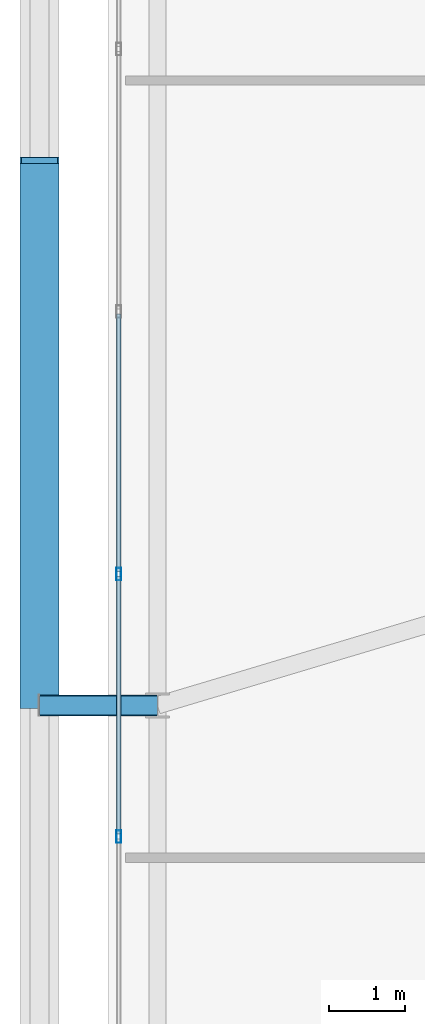
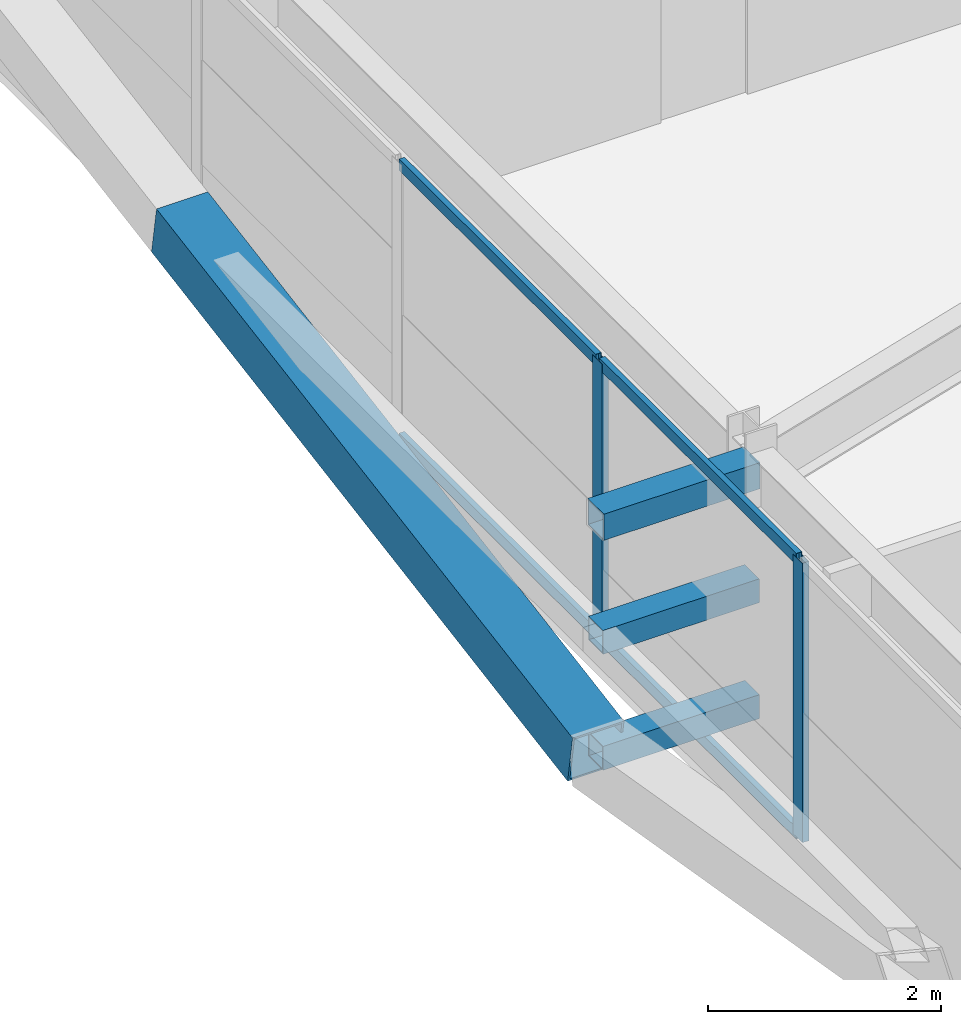
# One storey, part 14 of 58: 10 members, 1 element without a shape of its own.
"""IFC4 building model written with IfcOpenShell, lengths in metres."""

from ifc_helpers import new_model, si_unit, direction, frame, origin, origin_2d, place, context, subcontext, project, spatial, hollow_rectangle, extrude, source, transform, mapped, material, layer, layer_set, material_profile, profile_set, type_object, element, aggregate, save


model = new_model("IFC4")

# Units and contexts
model_context = context("Model", 3, precision=1e-05, world=origin(), true_north=direction((0.0, 1.0)))
body_context = subcontext(model_context, "Body", "Model", "MODEL_VIEW")
ifc_project = project(units=[si_unit("LENGTHUNIT", "METRE"), si_unit("AREAUNIT", "SQUARE_METRE"), si_unit("VOLUMEUNIT", "CUBIC_METRE"), si_unit("PLANEANGLEUNIT", "RADIAN"), si_unit("MASSUNIT", "GRAM", prefix="KILO")], contexts=[model_context])

# Site, building, storey
site_placement = place(None, origin())
site = spatial("IfcSite", under=ifc_project, at=site_placement, CompositionType="ELEMENT")
building_placement = place(site_placement, origin())
building = spatial("IfcBuilding", under=site, at=building_placement, Name="Taldren Reach Tower", CompositionType="ELEMENT")
storey_placement = place(building_placement, frame((0.0, 0.0, 51.449951171875)))
storey = spatial("IfcBuildingStorey", under=building, at=storey_placement, Name="L15", CompositionType="ELEMENT", Elevation=51.449951171875)

# Members
ifc_material_1 = material(Name="Steel Gr 450 (C450L0)", Category="steel")
ifc_material_profile_1 = material_profile(ifc_material_1, hollow_rectangle(XDim=0.27490234375, YDim=0.27490234375, WallThickness=0.00927734375, at=origin_2d()), Name="275x275x9.3SHS")
ifc_profile_set_1 = profile_set([ifc_material_profile_1], Name="Steel Gr 450 (C450L0)")
member_type_1 = type_object("IfcMemberType", Name="MB-TIE273", PredefinedType="STRUT", material=ifc_profile_set_1)
shared_shape_1 = source(origin(), body_context, "Body", "SweptSolid", [
    extrude(hollow_rectangle(XDim=0.27490234375, YDim=0.27490234375, WallThickness=0.00927734375, at=origin_2d()), origin(), (0.0, 0.0, 1.0), 1.5498046875),
])
member_1_placement = place(storey_placement, frame((5.64990234375, 20.0, 2.650146484375), z_axis=(-1.0, 0.0, 0.0), x_axis=(0.0, -1.0, 0.0)))
element("IfcMember", 1, at=member_1_placement, inside=storey, type_object=member_type_1, Name="Exoskeleton diaphragm tie strut B1-W2 L15", PredefinedType="STRUT", context=body_context, shape_type="MappedRepresentation", body=[
    mapped(shared_shape_1, transform((0.0, 0.0, 0.0), scale=1.0)),
])
ifc_material_2 = material(Name="Steel Gr 350 (C350L0)", Category="steel")
ifc_material_profile_2 = material_profile(ifc_material_2, hollow_rectangle(XDim=0.25, YDim=0.25, WallThickness=0.010009765625, at=origin_2d()), Name="250x250x10.0SHS")
ifc_profile_set_2 = profile_set([ifc_material_profile_2], Name="Steel Gr 350 (C350L0)")
member_type_2 = type_object("IfcMemberType", Name="MB-POST250", PredefinedType="POST", material=ifc_profile_set_2)
shared_shape_2 = source(origin(), body_context, "Body", "SweptSolid", [
    extrude(hollow_rectangle(XDim=0.25, YDim=0.25, WallThickness=0.010009765625, at=origin_2d()), origin(), (0.0, 0.0, 1.0), 1.5498046875),
])
for number, where, z_axis, x_axis, name in (
    (2, (5.64990234375, 20.0, 0.219970703125), (-1.0, 0.0, 0.0), (0.0, -1.0, 0.0), "Exoskeleton base diaphragm tie strut B1-W2 L15"),
    (3, (5.64990234375, 20.0, 1.43505859375), (-1.0, 0.0, 0.0), (0.0, -1.0, 0.0), "Exoskeleton mid-tier diaphragm tie B1-W2 L15"),
):
    element("IfcMember", number, at=place(storey_placement, frame(where, z_axis=z_axis, x_axis=x_axis)), inside=storey, type_object=member_type_2, Name=name, PredefinedType="POST", context=body_context, shape_type="MappedRepresentation", body=[
        mapped(shared_shape_2, transform((0.0, 0.0, 0.0), scale=1.0)),
    ])
ifc_material_profile_3 = material_profile(ifc_material_1, hollow_rectangle(XDim=0.510009765625, YDim=0.510009765625, WallThickness=0.02001953125, at=origin_2d()), Name="510x510x20.0SHS")
ifc_profile_set_3 = profile_set([ifc_material_profile_3], Name="Steel Gr 450 (C450L0)")
member_type_3 = type_object("IfcMemberType", Name="MB-EXO508", PredefinedType="BRACE", material=ifc_profile_set_3)
shared_shape_3 = source(origin(), body_context, "Body", "SweptSolid", [
    extrude(hollow_rectangle(XDim=0.510009765625, YDim=0.510009765625, WallThickness=0.02001953125, at=origin_2d()), origin(), (0.0, 0.0, 1.0), 7.25244140625),
])
member_2_placement = place(storey_placement, frame((4.10009765625, 20.0, 0.219970703125), z_axis=(0.0, 0.985864855729, 0.167542490848), x_axis=(-1.0, 0.0, 0.0)))
element("IfcMember", 4, at=member_2_placement, inside=storey, type_object=member_type_3, Name="Exoskeleton Diagrid Brace B1-W2 L15", PredefinedType="BRACE", context=body_context, shape_type="MappedRepresentation", body=[
    mapped(shared_shape_3, transform((0.0, 0.0, 0.0), scale=1.0)),
])

# Curtain wall, members
ifc_material_3 = material(Name="Aluminium and Low-E Glass Unitised System", Category="aluminium")
ifc_layer = layer(ifc_material_3, 0.159912109375)
ifc_layer_set = layer_set([ifc_layer], Name="Aluminium and Low-E Glass Unitised System")
curtain_wall_type = type_object("IfcCurtainWallType", Name="CW-SYS-2", PredefinedType="NOTDEFINED", material=ifc_layer_set)
curtain_wall_placement = place(storey_placement, origin())
curtain_wall = element("IfcCurtainWall", 5, at=curtain_wall_placement, inside=storey, type_object=curtain_wall_type, Name="Unitised curtain wall CW-L15-W", PredefinedType="NOTDEFINED")
ifc_material_4 = material(Name="Anodised Aluminium 6063-T6", Category="aluminium")
ifc_material_profile_4 = material_profile(ifc_material_4, hollow_rectangle(XDim=0.06494140625, YDim=0.1650390625, WallThickness=0.00390625, at=origin_2d()), Name="ALU-165x65x4RHS")
ifc_profile_set_4 = profile_set([ifc_material_profile_4], Name="Anodised Aluminium 6063-T6")
member_type_4 = type_object("IfcMemberType", Name="CW-MUL-165", PredefinedType="MULLION", material=ifc_profile_set_4)
shared_shape_4 = source(origin(), body_context, "Body", "SweptSolid", [
    extrude(hollow_rectangle(XDim=0.06494140625, YDim=0.1650390625, WallThickness=0.00390625, at=origin_2d()), origin(), (0.0, 0.0, 1.0), 2.929931640625),
])
member_3_placement = place(storey_placement, frame((5.139892578125, 21.72216796875, 0.0), z_axis=(0.0, 0.0, 1.0), x_axis=(1.0, 0.0, 0.0)))
member_3 = element("IfcMember", 6, at=member_3_placement, type_object=member_type_4, Name="CW-2 mullion 5", PredefinedType="MULLION", context=body_context, shape_type="MappedRepresentation", body=[
    mapped(shared_shape_4, transform((0.0, 0.0, 0.0), scale=1.0)),
])
member_4_placement = place(storey_placement, frame((5.139892578125, 18.27783203125, 0.0), z_axis=(0.0, 0.0, 1.0), x_axis=(1.0, 0.0, 0.0)))
member_4 = element("IfcMember", 7, at=member_4_placement, type_object=member_type_4, Name="CW-2 mullion 6", PredefinedType="MULLION", context=body_context, shape_type="MappedRepresentation", body=[
    mapped(shared_shape_4, transform((0.0, 0.0, 0.0), scale=1.0)),
])
ifc_material_profile_5 = material_profile(ifc_material_4, hollow_rectangle(XDim=0.054931640625, YDim=0.1201171875, WallThickness=0.0029296875, at=origin_2d()), Name="ALU-120x55x3RHS")
ifc_profile_set_5 = profile_set([ifc_material_profile_5], Name="Anodised Aluminium 6063-T6")
member_type_5 = type_object("IfcMemberType", Name="CW-TRN-135", PredefinedType="USERDEFINED", material=ifc_profile_set_5)
shared_shape_5 = source(origin(), body_context, "Body", "SweptSolid", [
    extrude(hollow_rectangle(XDim=0.054931640625, YDim=0.1201171875, WallThickness=0.0029296875, at=origin_2d()), origin(), (0.0, 0.0, 1.0), 3.37939453125),
])
member_5_placement = place(storey_placement, frame((5.139892578125, 21.689697265625, 0.027587890625), z_axis=(0.0, -1.0, 0.0), x_axis=(1.0, 0.0, 0.0)))
member_5 = element("IfcMember", 8, at=member_5_placement, type_object=member_type_5, Name="CW-2 transom 5.1", ObjectType="TRANSOM", PredefinedType="USERDEFINED", context=body_context, shape_type="MappedRepresentation", body=[
    mapped(shared_shape_5, transform((0.0, 0.0, 0.0), scale=1.0)),
])
member_6_placement = place(storey_placement, frame((5.139892578125, 21.689697265625, 2.902587890625), z_axis=(0.0, -1.0, 0.0), x_axis=(1.0, 0.0, 0.0)))
member_6 = element("IfcMember", 9, at=member_6_placement, type_object=member_type_5, Name="CW-2 transom 5.2", ObjectType="TRANSOM", PredefinedType="USERDEFINED", context=body_context, shape_type="MappedRepresentation", body=[
    mapped(shared_shape_5, transform((0.0, 0.0, 0.0), scale=1.0)),
])
shared_shape_6 = source(origin(), body_context, "Body", "SweptSolid", [
    extrude(hollow_rectangle(XDim=0.054931640625, YDim=0.1201171875, WallThickness=0.0029296875, at=origin_2d()), origin(), (0.0, 0.0, 1.0), 3.379638671875),
])
member_7_placement = place(storey_placement, frame((5.139892578125, 25.13427734375, 0.027587890625), z_axis=(0.0, -1.0, 0.0), x_axis=(1.0, 0.0, 0.0)))
member_7 = element("IfcMember", 10, at=member_7_placement, type_object=member_type_5, Name="CW-2 transom 4.1", ObjectType="TRANSOM", PredefinedType="USERDEFINED", context=body_context, shape_type="MappedRepresentation", body=[
    mapped(shared_shape_6, transform((0.0, 0.0, 0.0), scale=1.0)),
])
member_8_placement = place(storey_placement, frame((5.139892578125, 25.13427734375, 2.902587890625), z_axis=(0.0, -1.0, 0.0), x_axis=(1.0, 0.0, 0.0)))
member_8 = element("IfcMember", 11, at=member_8_placement, type_object=member_type_5, Name="CW-2 transom 4.2", ObjectType="TRANSOM", PredefinedType="USERDEFINED", context=body_context, shape_type="MappedRepresentation", body=[
    mapped(shared_shape_6, transform((0.0, 0.0, 0.0), scale=1.0)),
])
aggregate(curtain_wall, [member_3, member_4, member_7, member_8, member_5, member_6])

save(model, "model.ifc")
